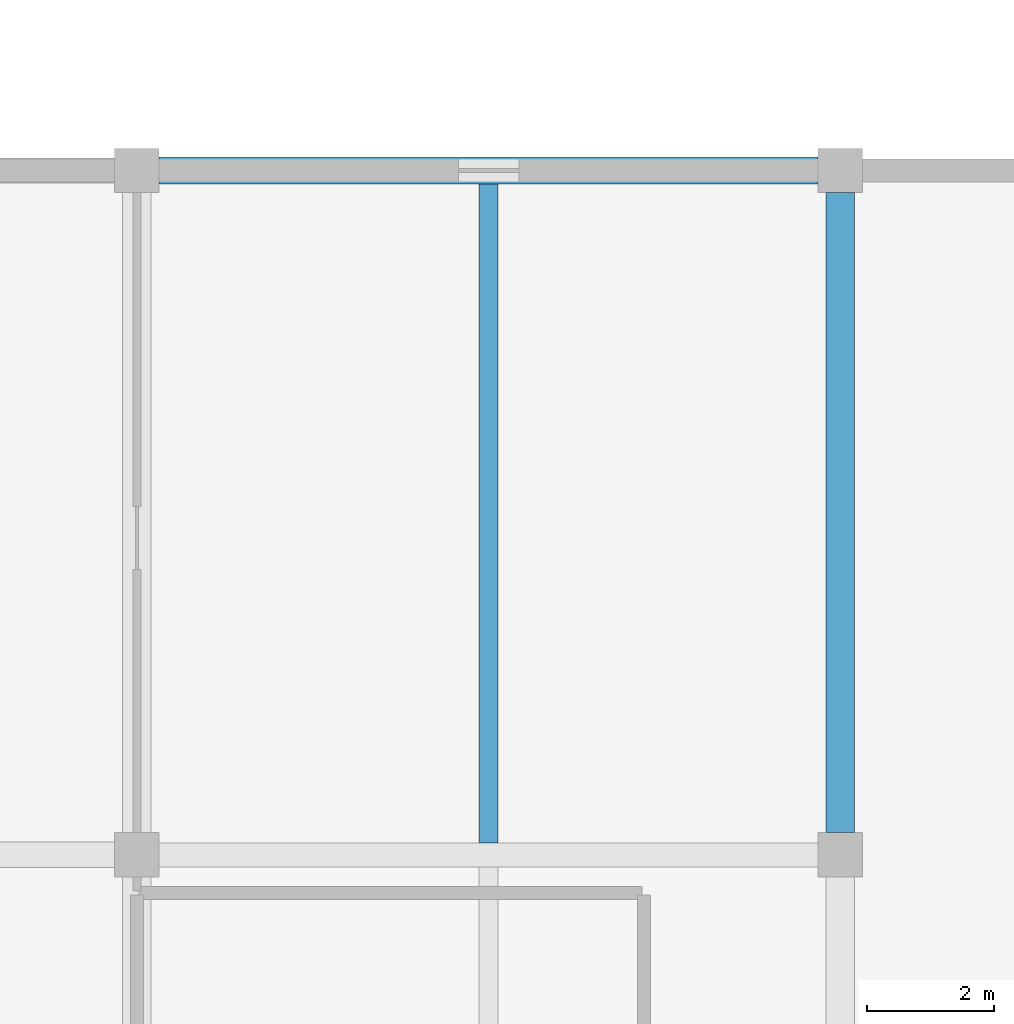
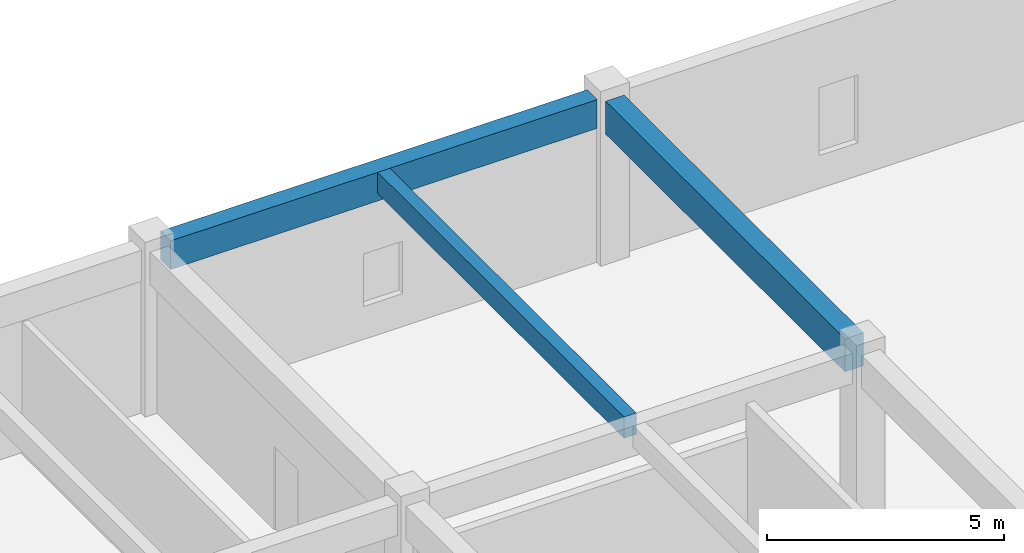
# One storey, part 27 of 57: 3 beams.
"""IFC4 building model written with IfcOpenShell, lengths in metres."""

import ifcopenshell
import ifcopenshell.guid

model = None  # the IFC model being written
_history = None  # IfcOwnerHistory: only IFC2X3 demands one
_inside = {}  # id of a spatial element -> (the spatial element, [elements in it])
_under = {}  # id of a project, library or spatial element -> (it, [spatial elements below it])
_declared = {}  # id of a project -> (the project, [libraries it declares])
_typed = {}  # id of a type object -> (the type object, [elements of that type])
_made_of = {}  # id of a material, layer set ... -> (it, [elements and type objects made of it])


def new_model(schema):
    """Start an empty IFC model of exactly this schema.

    Asked for "IFC4X3", IfcOpenShell would pick the latest addendum, in which some entities
    have other attributes; the version numbers below select the first issue.
    IFC2X3 requires an IfcOwnerHistory on every rooted entity: one is made here for all.
    """
    global model, _history
    if schema == "IFC4X3":
        model = ifcopenshell.file(schema_version=(4, 3, 0, 0))
    else:
        model = ifcopenshell.file(schema=schema)
    _inside.clear()
    _under.clear()
    _declared.clear()
    _typed.clear()
    _made_of.clear()
    _history = None
    if model.schema == "IFC2X3":
        org = make("IfcOrganization", Name="unknown")
        user = make(
            "IfcPersonAndOrganization",
            ThePerson=make("IfcPerson", FamilyName="unknown"),
            TheOrganization=org,
        )
        app = make(
            "IfcApplication",
            ApplicationDeveloper=org,
            Version="unknown",
            ApplicationFullName="unknown",
            ApplicationIdentifier="unknown",
        )
        _history = make(
            "IfcOwnerHistory",
            OwningUser=user,
            OwningApplication=app,
            ChangeAction="ADDED",
            CreationDate=0,
        )
    return model


def make(cls, **values):
    """One entity of the class cls with the attributes given. An attribute that is None is left unset."""
    return model.create_entity(
        cls, **{name: value for name, value in values.items() if value is not None}
    )


def rooted(cls, **values):
    """An entity with a GlobalId (a new one), such as an element, a storey or a relation."""
    return make(cls, GlobalId=ifcopenshell.guid.new(), OwnerHistory=_history, **values)


def si_unit(unit_type, name, prefix=None):
    """IfcSIUnit, for example si_unit("LENGTHUNIT", "METRE", prefix="MILLI")."""
    return make("IfcSIUnit", UnitType=unit_type, Prefix=prefix, Name=name)


def assignment(units):
    """IfcUnitAssignment: the units of a project."""
    return None if units is None else make("IfcUnitAssignment", Units=units)


def point(xyz):
    """IfcCartesianPoint."""
    return None if xyz is None else make("IfcCartesianPoint", Coordinates=xyz)


def direction(xyz):
    """IfcDirection."""
    return None if xyz is None else make("IfcDirection", DirectionRatios=xyz)


def frame(location, z_axis=None, x_axis=None):
    """IfcAxis2Placement3D, a coordinate frame: its origin and axes. An axis left out is left unset."""
    return make(
        "IfcAxis2Placement3D",
        Location=point(location),
        Axis=direction(z_axis),
        RefDirection=direction(x_axis),
    )


def frame_2d(location, x_axis=None):
    """IfcAxis2Placement2D, a coordinate frame in the plane: its origin and x axis."""
    return make(
        "IfcAxis2Placement2D", Location=point(location), RefDirection=direction(x_axis)
    )


def origin():
    """The frame at (0, 0, 0) with its axes left unset."""
    return frame((0.0, 0.0, 0.0))


def origin_2d():
    """The frame at (0, 0) in the plane with its x axis left unset."""
    return frame_2d((0.0, 0.0))


def place(relative_to, where):
    """IfcLocalPlacement: puts the frame where relative to a parent placement (None: the world)."""
    return make(
        "IfcLocalPlacement", PlacementRelTo=relative_to, RelativePlacement=where
    )


def context(
    kind, dimensions, precision=None, world=None, true_north=None, identifier=None
):
    """IfcGeometricRepresentationContext, for example the 3D "Model" context."""
    return make(
        "IfcGeometricRepresentationContext",
        ContextIdentifier=identifier,
        ContextType=kind,
        CoordinateSpaceDimension=dimensions,
        Precision=precision,
        WorldCoordinateSystem=world,
        TrueNorth=true_north,
    )


def subcontext(parent, identifier, kind, view, scale=None):
    """IfcGeometricRepresentationSubContext, for example "Body" below "Model"."""
    return make(
        "IfcGeometricRepresentationSubContext",
        ContextIdentifier=identifier,
        ContextType=kind,
        ParentContext=parent,
        TargetScale=scale,
        TargetView=view,
    )


def project(units=None, contexts=None):
    """IfcProject with its units and contexts."""
    return rooted(
        "IfcProject",
        Name="project",
        RepresentationContexts=contexts,
        UnitsInContext=assignment(units),
    )


def spatial(cls, under=None, at=None, **own):
    """A site, building, storey or space (cls), placed at a placement, below another one or the project."""
    s = rooted(cls, ObjectPlacement=at, **own)
    if under is not None:
        _under.setdefault(under.id(), (under, []))[1].append(s)
    return s


def profile(cls, at=None, kind="AREA", **sizes):
    """A parametric profile (cls). Its sizes go by their IFC names, for example OverallWidth=200.0."""
    return make(cls, ProfileType=kind, Position=at, **sizes)


def rectangle(**sizes):
    """IfcRectangleProfileDef."""
    return profile("IfcRectangleProfileDef", **sizes)


def extrude(swept, where, along, depth):
    """IfcExtrudedAreaSolid: the profile swept, set in the frame where, extruded along a direction by depth."""
    return make(
        "IfcExtrudedAreaSolid",
        SweptArea=swept,
        Position=where,
        ExtrudedDirection=direction(along),
        Depth=depth,
    )


def shape(context_of_items, identifier, shape_type, items):
    """IfcShapeRepresentation: the items that make up one representation, for example the "Body"."""
    return make(
        "IfcShapeRepresentation",
        ContextOfItems=context_of_items,
        RepresentationIdentifier=identifier,
        RepresentationType=shape_type,
        Items=items,
    )


def material(Name=None, Category=None):
    """IfcMaterial."""
    return make("IfcMaterial", Name=Name, Category=Category)


def material_profile(
    of_material, cross_section, Name=None, Category=None, Priority=None
):
    """IfcMaterialProfile: a cross section and its material."""
    return make(
        "IfcMaterialProfile",
        Name=Name,
        Material=of_material,
        Profile=cross_section,
        Priority=Priority,
        Category=Category,
    )


def profile_set(profiles, Name=None, composite=None):
    """IfcMaterialProfileSet."""
    return make(
        "IfcMaterialProfileSet",
        Name=Name,
        MaterialProfiles=profiles,
        CompositeProfile=composite,
    )


def made_of(thing, what):
    """Note that an element or type object is made of a material, layer set ...; save() writes the relation."""
    if what is not None:
        _made_of.setdefault(what.id(), (what, []))[1].append(thing)
    return thing


def type_object(cls, material=None, **own):
    """A type object (cls), such as IfcWallType, which elements share."""
    return made_of(rooted(cls, **own), material)


def element(
    cls,
    number,
    at=None,
    inside=None,
    cuts=None,
    type_object=None,
    material=None,
    context=None,
    identifier="Body",
    shape_type=None,
    held_by="IfcProductDefinitionShape",
    body=None,
    shapes=None,
    **own,
):
    """One element of the class cls, such as IfcWall. Its Tag is "e" and its number.

    at: its placement. inside: the storey or other place that contains it. cuts: it is an
    opening in that element (IfcRelVoidsElement). A single representation is given by context,
    identifier, shape_type and body (its items); several are given by shapes. held_by: the class
    of the entity that holds the representations. save() writes the other relations.
    """
    e = rooted(cls, Tag="e%d" % number, ObjectPlacement=at, **own)
    if body is not None:
        shapes = [shape(context, identifier, shape_type, body)]
    if shapes is not None:
        e.Representation = make(held_by, Representations=shapes)
    if inside is not None:
        _inside.setdefault(inside.id(), (inside, []))[1].append(e)
    if cuts is not None:
        rooted(
            "IfcRelVoidsElement", RelatingBuildingElement=cuts, RelatedOpeningElement=e
        )
    if type_object is not None:
        _typed.setdefault(type_object.id(), (type_object, []))[1].append(e)
    return made_of(e, material)


def aggregate(whole, parts):
    """IfcRelAggregates: a whole, such as a stair, and the parts it consists of."""
    return rooted("IfcRelAggregates", RelatingObject=whole, RelatedObjects=parts)


def save(model, path):
    """Write the relations noted so far, then the file.

    IfcRelAggregates (storeys below a building ...), IfcRelContainedInSpatialStructure (elements
    in a storey), IfcRelDefinesByType, IfcRelAssociatesMaterial and IfcRelDeclares: one each for
    every whole, place, type object, material and project.
    """
    for whole, parts in _under.values():
        aggregate(whole, parts)
    for where, things in _inside.values():
        rooted(
            "IfcRelContainedInSpatialStructure",
            RelatedElements=things,
            RelatingStructure=where,
        )
    for kind, things in _typed.values():
        rooted("IfcRelDefinesByType", RelatedObjects=things, RelatingType=kind)
    for what, things in _made_of.values():
        rooted("IfcRelAssociatesMaterial", RelatedObjects=things, RelatingMaterial=what)
    for by, libraries in _declared.values():
        rooted("IfcRelDeclares", RelatingContext=by, RelatedDefinitions=libraries)
    model.write(path)


model = new_model("IFC4")

# Units and contexts
model_context = context("Model", 3, precision=1e-05, world=origin(), true_north=direction((0.0, 1.0)))
body_context = subcontext(model_context, "Body", "Model", "MODEL_VIEW")
ifc_project = project(units=[si_unit("LENGTHUNIT", "METRE"), si_unit("AREAUNIT", "SQUARE_METRE"), si_unit("VOLUMEUNIT", "CUBIC_METRE"), si_unit("PLANEANGLEUNIT", "RADIAN"), si_unit("MASSUNIT", "GRAM", prefix="KILO")], contexts=[model_context])

# Site, building, storey
site_placement = place(None, origin())
site = spatial("IfcSite", under=ifc_project, at=site_placement, CompositionType="ELEMENT")
building_placement = place(site_placement, origin())
building = spatial("IfcBuilding", under=site, at=building_placement, Name="Miralva Faculty of Natural Sciences", CompositionType="ELEMENT")
storey_placement = place(building_placement, frame((0.0, 0.0, 15.0)))
storey = spatial("IfcBuildingStorey", under=building, at=storey_placement, Name="L03", CompositionType="ELEMENT", Elevation=15.0)

# Beams
ifc_material = material(Name="Concrete C40/50", Category="concrete")
ifc_material_profile_1 = material_profile(ifc_material, rectangle(XDim=0.449951171875, YDim=0.85009765625, at=origin_2d()), Name="RC 450x850")
ifc_profile_set_1 = profile_set([ifc_material_profile_1], Name="Concrete C40/50")
beam_type_1 = type_object("IfcBeamType", Name="BM-B01", PredefinedType="BEAM", material=ifc_profile_set_1)
beam_1_placement = place(storey_placement, frame((156.300048828125, 65.75, 3.784912109375), z_axis=(0.0, 1.0, 0.0), x_axis=(-1.0, 0.0, 0.0)))
element("IfcBeam", 1, at=beam_1_placement, inside=storey, type_object=beam_type_1, Name="Girder NS L03-132", PredefinedType="BEAM", context=body_context, shape_type="SweptSolid", body=[
    extrude(rectangle(XDim=0.449951171875, YDim=0.85009765625, at=origin_2d()), origin(), (0.0, 0.0, 1.0), 10.10009765625),
])
ifc_material_profile_2 = material_profile(ifc_material, rectangle(XDim=0.419921875, YDim=0.739990234375, at=origin_2d()), Name="RC 420x740")
ifc_profile_set_2 = profile_set([ifc_material_profile_2], Name="Concrete C40/50")
beam_type_2 = type_object("IfcBeamType", Name="BM-BG11", PredefinedType="BEAM", material=ifc_profile_set_2)
beam_2_placement = place(storey_placement, frame((145.550048828125, 76.199951171875, 3.840087890625), z_axis=(1.0, 0.0, 0.0), x_axis=(0.0, 1.0, 0.0)))
element("IfcBeam", 2, at=beam_2_placement, inside=storey, type_object=beam_type_2, Name="Girder EW L03-51", PredefinedType="BEAM", context=body_context, shape_type="SweptSolid", body=[
    extrude(rectangle(XDim=0.419921875, YDim=0.739990234375, at=origin_2d()), origin(), (0.0, 0.0, 1.0), 10.39990234375),
])
ifc_material_profile_3 = material_profile(ifc_material, rectangle(XDim=0.300048828125, YDim=0.550048828125, at=origin_2d()), Name="RC 300x550")
ifc_profile_set_3 = profile_set([ifc_material_profile_3], Name="Concrete C40/50")
beam_type_3 = type_object("IfcBeamType", Name="BM-J02", PredefinedType="JOIST", material=ifc_profile_set_3)
beam_3_placement = place(storey_placement, frame((150.75, 65.590087890625, 3.93505859375), z_axis=(0.0, 1.0, 0.0), x_axis=(-1.0, 0.0, 0.0)))
element("IfcBeam", 3, at=beam_3_placement, inside=storey, type_object=beam_type_3, Name="Floor joist L03-21", PredefinedType="JOIST", context=body_context, shape_type="SweptSolid", body=[
    extrude(rectangle(XDim=0.300048828125, YDim=0.550048828125, at=origin_2d()), origin(), (0.0, 0.0, 1.0), 10.39990234375),
])

save(model, "model.ifc")
